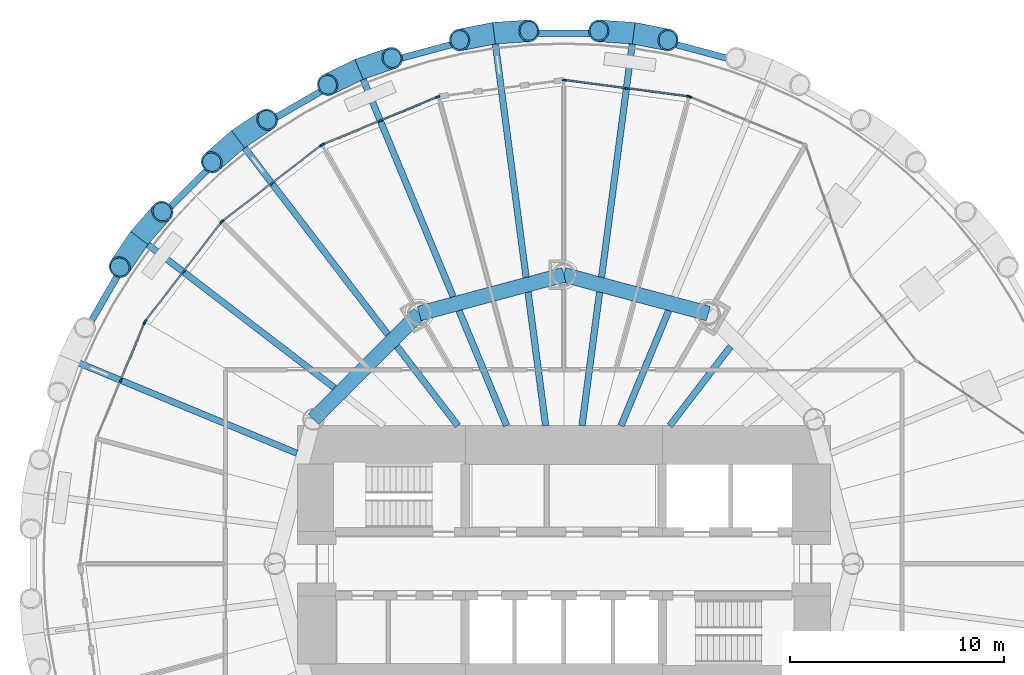
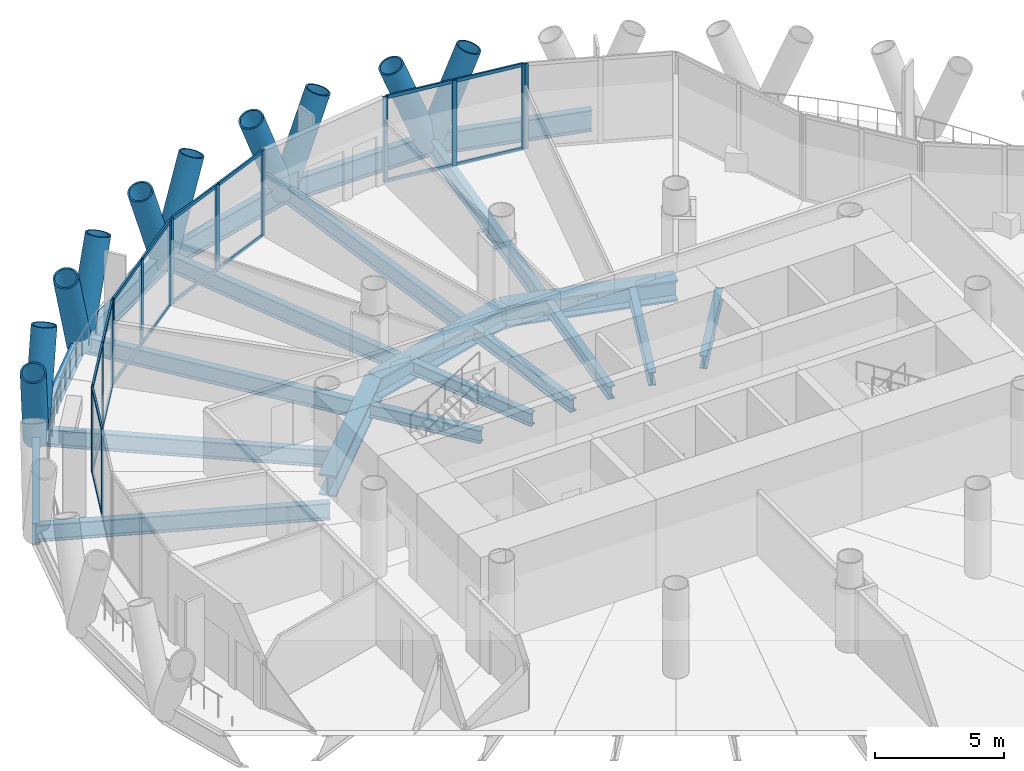
# One storey, part 6 of 16: 43 members, 21 beams, 6 elements without a shape of their own.
"""IFC4 building model written with IfcOpenShell, lengths in metres."""

from ifc_helpers import new_model, si_unit, direction, frame, origin, origin_2d, place, context, subcontext, project, spatial, rectangle, hollow_circle, i_section, extrude, material, material_profile, profile_set, type_object, element, aggregate, save


model = new_model("IFC4")

# Units and contexts
model_context = context("Model", 3, precision=1e-05, world=origin(), true_north=direction((0.0, 1.0)))
body_context = subcontext(model_context, "Body", "Model", "MODEL_VIEW")
ifc_project = project(units=[si_unit("LENGTHUNIT", "METRE"), si_unit("AREAUNIT", "SQUARE_METRE"), si_unit("VOLUMEUNIT", "CUBIC_METRE"), si_unit("PLANEANGLEUNIT", "RADIAN"), si_unit("MASSUNIT", "GRAM", prefix="KILO")], contexts=[model_context])

# Site, building, storey
site_placement = place(None, origin())
site = spatial("IfcSite", under=ifc_project, at=site_placement, CompositionType="ELEMENT")
building_placement = place(site_placement, origin())
building = spatial("IfcBuilding", under=site, at=building_placement, Name="Qaws Media Tower", CompositionType="ELEMENT")
storey_placement = place(building_placement, frame((0.0, 0.0, 135.199951171875)))
storey = spatial("IfcBuildingStorey", under=building, at=storey_placement, Name="L30", CompositionType="ELEMENT", Elevation=135.199951171875)

# Curtain wall, member
ifc_material_1 = material(Name="Aluminium and clear glass", Category="aluminium")
curtain_wall_type = type_object("IfcCurtainWallType", Name="Unitised curtain wall CW-B", PredefinedType="NOTDEFINED", material=ifc_material_1)
curtain_wall_1_placement = place(storey_placement, origin())
curtain_wall_1 = element("IfcCurtainWall", 1, at=curtain_wall_1_placement, inside=storey, type_object=curtain_wall_type, Name="CWB curtain wall L30-05", PredefinedType="NOTDEFINED")
ifc_material_2 = material(Name="Aluminium mullion", Category="aluminium")
ifc_material_profile_1 = material_profile(ifc_material_2, rectangle(XDim=0.080078125, YDim=0.199951171875, at=origin_2d()), Name="80x200")
ifc_profile_set_1 = profile_set([ifc_material_profile_1], Name="Aluminium mullion")
member_type_1 = type_object("IfcMemberType", Name="Curtain wall mullion 80x200", PredefinedType="MULLION", material=ifc_profile_set_1)
member_1_placement = place(storey_placement, frame((65.88623046875, 71.814697265625, 0.0), z_axis=(0.0, 0.0, 1.0), x_axis=(-0.382683472548, -0.923879515867, 0.0)))
member_1 = element("IfcMember", 2, at=member_1_placement, type_object=member_type_1, Name="CWB mullion 3", PredefinedType="MULLION", context=body_context, shape_type="SweptSolid", body=[
    extrude(rectangle(XDim=0.080078125, YDim=0.199951171875, at=origin_2d()), origin(), (0.0, 0.0, 1.0), 4.0400390625),
])
aggregate(curtain_wall_1, [member_1])

# Curtain wall, members
curtain_wall_2_placement = place(storey_placement, origin())
curtain_wall_2 = element("IfcCurtainWall", 3, at=curtain_wall_2_placement, inside=storey, type_object=curtain_wall_type, Name="CWB curtain wall L30-06", PredefinedType="NOTDEFINED")
member_2_placement = place(storey_placement, frame((65.8095703125, 71.835205078125, 0.0), z_axis=(0.0, 0.0, 1.0), x_axis=(-0.130526147126, -0.991444867311, 0.0)))
member_2 = element("IfcMember", 4, at=member_2_placement, type_object=member_type_1, Name="CWB mullion 1", PredefinedType="MULLION", context=body_context, shape_type="SweptSolid", body=[
    extrude(rectangle(XDim=0.080078125, YDim=0.199951171875, at=origin_2d()), origin(), (0.0, 0.0, 1.0), 4.0400390625),
])
member_3_placement = place(storey_placement, frame((62.924560546875, 72.21484375, 0.0), z_axis=(0.0, 0.0, 1.0), x_axis=(-0.130526147126, -0.991444867311, 0.0)))
member_3 = element("IfcMember", 5, at=member_3_placement, type_object=member_type_1, Name="CWB mullion 2", PredefinedType="MULLION", context=body_context, shape_type="SweptSolid", body=[
    extrude(rectangle(XDim=0.080078125, YDim=0.199951171875, at=origin_2d()), origin(), (0.0, 0.0, 1.0), 4.0400390625),
])
member_4_placement = place(storey_placement, frame((60.03955078125, 72.5947265625, 0.0), z_axis=(0.0, 0.0, 1.0), x_axis=(-0.130526147126, -0.991444867311, 0.0)))
member_4 = element("IfcMember", 6, at=member_4_placement, type_object=member_type_1, Name="CWB mullion 3", PredefinedType="MULLION", context=body_context, shape_type="SweptSolid", body=[
    extrude(rectangle(XDim=0.080078125, YDim=0.199951171875, at=origin_2d()), origin(), (0.0, 0.0, 1.0), 4.0400390625),
])

curtain_wall_3_placement = place(storey_placement, origin())
curtain_wall_3 = element("IfcCurtainWall", 7, at=curtain_wall_3_placement, inside=storey, type_object=curtain_wall_type, Name="CWB curtain wall L30-08", PredefinedType="NOTDEFINED")
member_5_placement = place(storey_placement, frame((54.11376953125, 71.814697265625, 0.0), z_axis=(0.0, 0.0, 1.0), x_axis=(0.382683472548, -0.923879515867, 0.0)))
member_5 = element("IfcMember", 8, at=member_5_placement, type_object=member_type_1, Name="CWB mullion 1", PredefinedType="MULLION", context=body_context, shape_type="SweptSolid", body=[
    extrude(rectangle(XDim=0.080078125, YDim=0.199951171875, at=origin_2d()), origin(), (0.0, 0.0, 1.0), 4.0400390625),
])
member_6_placement = place(storey_placement, frame((51.42529296875, 70.700927734375, 0.0), z_axis=(0.0, 0.0, 1.0), x_axis=(0.382683472548, -0.923879515867, 0.0)))
member_6 = element("IfcMember", 9, at=member_6_placement, type_object=member_type_1, Name="CWB mullion 2", PredefinedType="MULLION", context=body_context, shape_type="SweptSolid", body=[
    extrude(rectangle(XDim=0.080078125, YDim=0.199951171875, at=origin_2d()), origin(), (0.0, 0.0, 1.0), 4.0400390625),
])
member_7_placement = place(storey_placement, frame((48.737060546875, 69.58740234375, 0.0), z_axis=(0.0, 0.0, 1.0), x_axis=(0.382683472548, -0.923879515867, 0.0)))
member_7 = element("IfcMember", 10, at=member_7_placement, type_object=member_type_1, Name="CWB mullion 3", PredefinedType="MULLION", context=body_context, shape_type="SweptSolid", body=[
    extrude(rectangle(XDim=0.080078125, YDim=0.199951171875, at=origin_2d()), origin(), (0.0, 0.0, 1.0), 4.0400390625),
])

curtain_wall_4_placement = place(storey_placement, origin())
curtain_wall_4 = element("IfcCurtainWall", 11, at=curtain_wall_4_placement, inside=storey, type_object=curtain_wall_type, Name="CWB curtain wall L30-09", PredefinedType="NOTDEFINED")
member_8_placement = place(storey_placement, frame((48.668212890625, 69.5478515625, 0.0), z_axis=(0.0, 0.0, 1.0), x_axis=(0.608761463667, -0.793353313697, 0.0)))
member_8 = element("IfcMember", 12, at=member_8_placement, type_object=member_type_1, Name="CWB mullion 1", PredefinedType="MULLION", context=body_context, shape_type="SweptSolid", body=[
    extrude(rectangle(XDim=0.080078125, YDim=0.199951171875, at=origin_2d()), origin(), (0.0, 0.0, 1.0), 4.0400390625),
])
member_9_placement = place(storey_placement, frame((46.359619140625, 67.7763671875, 0.0), z_axis=(0.0, 0.0, 1.0), x_axis=(0.608761463667, -0.793353313697, 0.0)))
member_9 = element("IfcMember", 13, at=member_9_placement, type_object=member_type_1, Name="CWB mullion 2", PredefinedType="MULLION", context=body_context, shape_type="SweptSolid", body=[
    extrude(rectangle(XDim=0.080078125, YDim=0.199951171875, at=origin_2d()), origin(), (0.0, 0.0, 1.0), 4.0400390625),
])
member_10_placement = place(storey_placement, frame((44.051025390625, 66.0048828125, 0.0), z_axis=(0.0, 0.0, 1.0), x_axis=(0.608761463667, -0.793353313697, 0.0)))
member_10 = element("IfcMember", 14, at=member_10_placement, type_object=member_type_1, Name="CWB mullion 3", PredefinedType="MULLION", context=body_context, shape_type="SweptSolid", body=[
    extrude(rectangle(XDim=0.080078125, YDim=0.199951171875, at=origin_2d()), origin(), (0.0, 0.0, 1.0), 4.0400390625),
])

curtain_wall_5_placement = place(storey_placement, origin())
curtain_wall_5 = element("IfcCurtainWall", 15, at=curtain_wall_5_placement, inside=storey, type_object=curtain_wall_type, Name="CWB curtain wall L30-10", PredefinedType="NOTDEFINED")
member_11_placement = place(storey_placement, frame((43.9951171875, 65.948974609375, 0.0), z_axis=(0.0, 0.0, 1.0), x_axis=(0.793353313697, -0.608761463667, 0.0)))
member_11 = element("IfcMember", 16, at=member_11_placement, type_object=member_type_1, Name="CWB mullion 1", PredefinedType="MULLION", context=body_context, shape_type="SweptSolid", body=[
    extrude(rectangle(XDim=0.080078125, YDim=0.199951171875, at=origin_2d()), origin(), (0.0, 0.0, 1.0), 4.0400390625),
])
member_12_placement = place(storey_placement, frame((42.2236328125, 63.640380859375, 0.0), z_axis=(0.0, 0.0, 1.0), x_axis=(0.793353313697, -0.608761463667, 0.0)))
member_12 = element("IfcMember", 17, at=member_12_placement, type_object=member_type_1, Name="CWB mullion 2", PredefinedType="MULLION", context=body_context, shape_type="SweptSolid", body=[
    extrude(rectangle(XDim=0.080078125, YDim=0.199951171875, at=origin_2d()), origin(), (0.0, 0.0, 1.0), 4.0400390625),
])
member_13_placement = place(storey_placement, frame((40.4521484375, 61.331787109375, 0.0), z_axis=(0.0, 0.0, 1.0), x_axis=(0.793353313697, -0.608761463667, 0.0)))
member_13 = element("IfcMember", 18, at=member_13_placement, type_object=member_type_1, Name="CWB mullion 3", PredefinedType="MULLION", context=body_context, shape_type="SweptSolid", body=[
    extrude(rectangle(XDim=0.080078125, YDim=0.199951171875, at=origin_2d()), origin(), (0.0, 0.0, 1.0), 4.0400390625),
])

curtain_wall_6_placement = place(storey_placement, origin())
curtain_wall_6 = element("IfcCurtainWall", 19, at=curtain_wall_6_placement, inside=storey, type_object=curtain_wall_type, Name="CWB curtain wall L30-11", PredefinedType="NOTDEFINED")
member_14_placement = place(storey_placement, frame((40.41259765625, 61.262939453125, 0.0), z_axis=(0.0, 0.0, 1.0), x_axis=(0.923879515867, -0.382683472548, 0.0)))
member_14 = element("IfcMember", 20, at=member_14_placement, type_object=member_type_1, Name="CWB mullion 1", PredefinedType="MULLION", context=body_context, shape_type="SweptSolid", body=[
    extrude(rectangle(XDim=0.080078125, YDim=0.199951171875, at=origin_2d()), origin(), (0.0, 0.0, 1.0), 4.0400390625),
])
member_15_placement = place(storey_placement, frame((39.299072265625, 58.57470703125, 0.0), z_axis=(0.0, 0.0, 1.0), x_axis=(0.923879515867, -0.382683472548, 0.0)))
member_15 = element("IfcMember", 21, at=member_15_placement, type_object=member_type_1, Name="CWB mullion 2", PredefinedType="MULLION", context=body_context, shape_type="SweptSolid", body=[
    extrude(rectangle(XDim=0.080078125, YDim=0.199951171875, at=origin_2d()), origin(), (0.0, 0.0, 1.0), 4.0400390625),
])

# Member
ifc_material_3 = material(Name="Aluminium transom", Category="aluminium")
ifc_material_profile_2 = material_profile(ifc_material_3, rectangle(XDim=0.080078125, YDim=0.159912109375, at=origin_2d()), Name="80x160")
ifc_profile_set_2 = profile_set([ifc_material_profile_2], Name="Aluminium transom")
member_type_2 = type_object("IfcMemberType", Name="Curtain wall transom 80x160", PredefinedType="USERDEFINED", material=ifc_profile_set_2)
member_16_placement = place(storey_placement, frame((65.77001953125, 71.84033203125, 0.0400390625), z_axis=(-0.991444308748, 0.130530389761, 0.0), x_axis=(-0.130530389761, -0.991444308748, 0.0)))
member_16 = element("IfcMember", 22, at=member_16_placement, type_object=member_type_2, Name="CWB transom 1.1", ObjectType="TRANSOM", PredefinedType="USERDEFINED", context=body_context, shape_type="SweptSolid", body=[
    extrude(rectangle(XDim=0.080078125, YDim=0.159912109375, at=origin_2d()), origin(), (0.0, 0.0, 1.0), 2.829833984375),
])

member_17_placement = place(storey_placement, frame((65.77001953125, 71.84033203125, 4.0), z_axis=(-0.991444308748, 0.130530389761, 0.0), x_axis=(-0.130530389761, -0.991444308748, 0.0)))
member_17 = element("IfcMember", 23, at=member_17_placement, type_object=member_type_2, Name="CWB transom 1.2", ObjectType="TRANSOM", PredefinedType="USERDEFINED", context=body_context, shape_type="SweptSolid", body=[
    extrude(rectangle(XDim=0.080078125, YDim=0.159912109375, at=origin_2d()), origin(), (0.0, 0.0, 1.0), 2.829833984375),
])

member_18_placement = place(storey_placement, frame((62.885009765625, 72.22021484375, 0.0400390625), z_axis=(-0.991444308748, 0.130530389761, 0.0), x_axis=(-0.130530389761, -0.991444308748, 0.0)))
member_18 = element("IfcMember", 24, at=member_18_placement, type_object=member_type_2, Name="CWB transom 2.1", ObjectType="TRANSOM", PredefinedType="USERDEFINED", context=body_context, shape_type="SweptSolid", body=[
    extrude(rectangle(XDim=0.080078125, YDim=0.159912109375, at=origin_2d()), origin(), (0.0, 0.0, 1.0), 2.829833984375),
])

member_19_placement = place(storey_placement, frame((62.885009765625, 72.22021484375, 4.0), z_axis=(-0.991444308748, 0.130530389761, 0.0), x_axis=(-0.130530389761, -0.991444308748, 0.0)))
member_19 = element("IfcMember", 25, at=member_19_placement, type_object=member_type_2, Name="CWB transom 2.2", ObjectType="TRANSOM", PredefinedType="USERDEFINED", context=body_context, shape_type="SweptSolid", body=[
    extrude(rectangle(XDim=0.080078125, YDim=0.159912109375, at=origin_2d()), origin(), (0.0, 0.0, 1.0), 2.829833984375),
])

aggregate(curtain_wall_2, [member_2, member_3, member_4, member_16, member_17, member_18, member_19])

member_20_placement = place(storey_placement, frame((54.07666015625, 71.79931640625, 0.0400390625), z_axis=(-0.92386119338, -0.382727703944, 0.0), x_axis=(0.382727703944, -0.92386119338, 0.0)))
member_20 = element("IfcMember", 26, at=member_20_placement, type_object=member_type_2, Name="CWB transom 1.1", ObjectType="TRANSOM", PredefinedType="USERDEFINED", context=body_context, shape_type="SweptSolid", body=[
    extrude(rectangle(XDim=0.080078125, YDim=0.159912109375, at=origin_2d()), origin(), (0.0, 0.0, 1.0), 2.82958984375),
])

member_21_placement = place(storey_placement, frame((54.07666015625, 71.79931640625, 4.0), z_axis=(-0.92386119338, -0.382727703944, 0.0), x_axis=(0.382727703944, -0.92386119338, 0.0)))
member_21 = element("IfcMember", 27, at=member_21_placement, type_object=member_type_2, Name="CWB transom 1.2", ObjectType="TRANSOM", PredefinedType="USERDEFINED", context=body_context, shape_type="SweptSolid", body=[
    extrude(rectangle(XDim=0.080078125, YDim=0.159912109375, at=origin_2d()), origin(), (0.0, 0.0, 1.0), 2.82958984375),
])

member_22_placement = place(storey_placement, frame((51.388427734375, 70.685791015625, 0.0400390625), z_axis=(-0.923873829864, -0.382697199484, 0.0), x_axis=(0.382697199484, -0.923873829864, 0.0)))
member_22 = element("IfcMember", 28, at=member_22_placement, type_object=member_type_2, Name="CWB transom 2.1", ObjectType="TRANSOM", PredefinedType="USERDEFINED", context=body_context, shape_type="SweptSolid", body=[
    extrude(rectangle(XDim=0.080078125, YDim=0.159912109375, at=origin_2d()), origin(), (0.0, 0.0, 1.0), 2.829833984375),
])

member_23_placement = place(storey_placement, frame((51.388427734375, 70.685791015625, 4.0), z_axis=(-0.923873829864, -0.382697199484, 0.0), x_axis=(0.382697199484, -0.923873829864, 0.0)))
member_23 = element("IfcMember", 29, at=member_23_placement, type_object=member_type_2, Name="CWB transom 2.2", ObjectType="TRANSOM", PredefinedType="USERDEFINED", context=body_context, shape_type="SweptSolid", body=[
    extrude(rectangle(XDim=0.080078125, YDim=0.159912109375, at=origin_2d()), origin(), (0.0, 0.0, 1.0), 2.829833984375),
])

aggregate(curtain_wall_3, [member_5, member_6, member_7, member_20, member_21, member_22, member_23])

member_24_placement = place(storey_placement, frame((48.636474609375, 69.5234375, 0.0400390625), z_axis=(-0.79336746432, -0.608743021775, 0.0), x_axis=(0.608743021775, -0.79336746432, 0.0)))
member_24 = element("IfcMember", 30, at=member_24_placement, type_object=member_type_2, Name="CWB transom 1.1", ObjectType="TRANSOM", PredefinedType="USERDEFINED", context=body_context, shape_type="SweptSolid", body=[
    extrude(rectangle(XDim=0.080078125, YDim=0.159912109375, at=origin_2d()), origin(), (0.0, 0.0, 1.0), 2.829833984375),
])

member_25_placement = place(storey_placement, frame((48.636474609375, 69.5234375, 4.0), z_axis=(-0.79336746432, -0.608743021775, 0.0), x_axis=(0.608743021775, -0.79336746432, 0.0)))
member_25 = element("IfcMember", 31, at=member_25_placement, type_object=member_type_2, Name="CWB transom 1.2", ObjectType="TRANSOM", PredefinedType="USERDEFINED", context=body_context, shape_type="SweptSolid", body=[
    extrude(rectangle(XDim=0.080078125, YDim=0.159912109375, at=origin_2d()), origin(), (0.0, 0.0, 1.0), 2.829833984375),
])

member_26_placement = place(storey_placement, frame((46.327880859375, 67.751953125, 0.0400390625), z_axis=(-0.79336746432, -0.608743021775, 0.0), x_axis=(0.608743021775, -0.79336746432, 0.0)))
member_26 = element("IfcMember", 32, at=member_26_placement, type_object=member_type_2, Name="CWB transom 2.1", ObjectType="TRANSOM", PredefinedType="USERDEFINED", context=body_context, shape_type="SweptSolid", body=[
    extrude(rectangle(XDim=0.080078125, YDim=0.159912109375, at=origin_2d()), origin(), (0.0, 0.0, 1.0), 2.829833984375),
])

member_27_placement = place(storey_placement, frame((46.327880859375, 67.751953125, 4.0), z_axis=(-0.79336746432, -0.608743021775, 0.0), x_axis=(0.608743021775, -0.79336746432, 0.0)))
member_27 = element("IfcMember", 33, at=member_27_placement, type_object=member_type_2, Name="CWB transom 2.2", ObjectType="TRANSOM", PredefinedType="USERDEFINED", context=body_context, shape_type="SweptSolid", body=[
    extrude(rectangle(XDim=0.080078125, YDim=0.159912109375, at=origin_2d()), origin(), (0.0, 0.0, 1.0), 2.829833984375),
])

aggregate(curtain_wall_4, [member_8, member_9, member_10, member_24, member_25, member_26, member_27])

member_28_placement = place(storey_placement, frame((43.970703125, 65.917236328125, 0.0400390625), z_axis=(-0.608743021775, -0.79336746432, 0.0), x_axis=(0.79336746432, -0.608743021775, 0.0)))
member_28 = element("IfcMember", 34, at=member_28_placement, type_object=member_type_2, Name="CWB transom 1.1", ObjectType="TRANSOM", PredefinedType="USERDEFINED", context=body_context, shape_type="SweptSolid", body=[
    extrude(rectangle(XDim=0.080078125, YDim=0.159912109375, at=origin_2d()), origin(), (0.0, 0.0, 1.0), 2.829833984375),
])

member_29_placement = place(storey_placement, frame((43.970703125, 65.917236328125, 4.0), z_axis=(-0.608743021775, -0.79336746432, 0.0), x_axis=(0.79336746432, -0.608743021775, 0.0)))
member_29 = element("IfcMember", 35, at=member_29_placement, type_object=member_type_2, Name="CWB transom 1.2", ObjectType="TRANSOM", PredefinedType="USERDEFINED", context=body_context, shape_type="SweptSolid", body=[
    extrude(rectangle(XDim=0.080078125, YDim=0.159912109375, at=origin_2d()), origin(), (0.0, 0.0, 1.0), 2.829833984375),
])

member_30_placement = place(storey_placement, frame((42.19921875, 63.608642578125, 0.0400390625), z_axis=(-0.608743021775, -0.79336746432, 0.0), x_axis=(0.79336746432, -0.608743021775, 0.0)))
member_30 = element("IfcMember", 36, at=member_30_placement, type_object=member_type_2, Name="CWB transom 2.1", ObjectType="TRANSOM", PredefinedType="USERDEFINED", context=body_context, shape_type="SweptSolid", body=[
    extrude(rectangle(XDim=0.080078125, YDim=0.159912109375, at=origin_2d()), origin(), (0.0, 0.0, 1.0), 2.829833984375),
])

member_31_placement = place(storey_placement, frame((42.19921875, 63.608642578125, 4.0), z_axis=(-0.608743021775, -0.79336746432, 0.0), x_axis=(0.79336746432, -0.608743021775, 0.0)))
member_31 = element("IfcMember", 37, at=member_31_placement, type_object=member_type_2, Name="CWB transom 2.2", ObjectType="TRANSOM", PredefinedType="USERDEFINED", context=body_context, shape_type="SweptSolid", body=[
    extrude(rectangle(XDim=0.080078125, YDim=0.159912109375, at=origin_2d()), origin(), (0.0, 0.0, 1.0), 2.829833984375),
])

aggregate(curtain_wall_5, [member_11, member_12, member_13, member_28, member_29, member_30, member_31])

member_32_placement = place(storey_placement, frame((40.397216796875, 61.22607421875, 0.0400390625), z_axis=(-0.382697199484, -0.923873829864, 0.0), x_axis=(0.923873829864, -0.382697199484, 0.0)))
member_32 = element("IfcMember", 38, at=member_32_placement, type_object=member_type_2, Name="CWB transom 1.1", ObjectType="TRANSOM", PredefinedType="USERDEFINED", context=body_context, shape_type="SweptSolid", body=[
    extrude(rectangle(XDim=0.080078125, YDim=0.159912109375, at=origin_2d()), origin(), (0.0, 0.0, 1.0), 2.829833984375),
])

member_33_placement = place(storey_placement, frame((40.397216796875, 61.22607421875, 4.0), z_axis=(-0.382697199484, -0.923873829864, 0.0), x_axis=(0.923873829864, -0.382697199484, 0.0)))
member_33 = element("IfcMember", 39, at=member_33_placement, type_object=member_type_2, Name="CWB transom 1.2", ObjectType="TRANSOM", PredefinedType="USERDEFINED", context=body_context, shape_type="SweptSolid", body=[
    extrude(rectangle(XDim=0.080078125, YDim=0.159912109375, at=origin_2d()), origin(), (0.0, 0.0, 1.0), 2.829833984375),
])

aggregate(curtain_wall_6, [member_14, member_15, member_32, member_33])

# Members
ifc_material_4 = material(Name="Steel S460", Category="steel")
ifc_material_profile_3 = material_profile(ifc_material_4, hollow_circle(Radius=0.508056640625, WallThickness=0.070068359375, at=origin_2d()), Name="CHS 1016x70")
ifc_profile_set_3 = profile_set([ifc_material_profile_3], Name="Steel S460")
member_type_3 = type_object("IfcMemberType", Name="Diagrid member CHS 1016x70", PredefinedType="USERDEFINED", material=ifc_profile_set_3)
member_34_placement = place(storey_placement, frame((63.26318359375, 74.7861328125, -0.6640625), z_axis=(-0.361940264038, 0.024483238453, 0.931879722015), x_axis=(-0.067490184384, -0.997719938165, 0.0)))
element("IfcMember", 40, at=member_34_placement, inside=storey, type_object=member_type_3, Name="DG3 diagrid L30 A06", ObjectType="DIAGRID", PredefinedType="USERDEFINED", context=body_context, shape_type="SweptSolid", body=[
    extrude(hollow_circle(Radius=0.508056640625, WallThickness=0.070068359375, at=origin_2d()), origin(), (0.0, 0.0, 1.0), 4.50732421875),
])
for number, where, z_axis, x_axis, name in (
    (41, (63.26318359375, 74.7861328125, -0.6640625), (0.355930984487, -0.069983690756, 0.931888092697), (0.192927589696, 0.981212996823, 0.0), "DG3 diagrid L30 B06"),
    (42, (56.73681640625, 74.7861328125, -0.6640625), (-0.355930984487, -0.069983690756, 0.931888092697), (0.192927589696, -0.981212996823, 0.0), "DG3 diagrid L30 A07"),
):
    element("IfcMember", number, at=place(storey_placement, frame(where, z_axis=z_axis, x_axis=x_axis)), inside=storey, type_object=member_type_3, Name=name, ObjectType="DIAGRID", PredefinedType="USERDEFINED", context=body_context, shape_type="SweptSolid", body=[
        extrude(hollow_circle(Radius=0.508056640625, WallThickness=0.070068359375, at=origin_2d()), origin(), (0.0, 0.0, 1.0), 4.507080078125),
    ])
for number, where, z_axis, x_axis, name in (
    (43, (56.73681640625, 74.7861328125, -0.6640625), (0.361940264038, 0.024483238453, 0.931879722015), (-0.067490184384, 0.997719938165, 0.0), "DG3 diagrid L30 B07"),
    (44, (50.432861328125, 73.096923828125, -0.6640625), (-0.325703218866, -0.159737035163, 0.931880621548), (0.440331888579, -0.897835078341, 0.0), "DG3 diagrid L30 A08"),
    (45, (50.432861328125, 73.096923828125, -0.6640625), (0.343252821351, 0.117378706623, 0.931879681003), (-0.323564558959, 0.946206096041, 0.0), "DG3 diagrid L30 B08"),
    (46, (44.781005859375, 69.833740234375, -0.6640625), (-0.273268723209, -0.238602324229, 0.931876137579), (0.657711444944, -0.753269974969, 0.0), "DG3 diagrid L30 A09"),
):
    element("IfcMember", number, at=place(storey_placement, frame(where, z_axis=z_axis, x_axis=x_axis)), inside=storey, type_object=member_type_3, Name=name, ObjectType="DIAGRID", PredefinedType="USERDEFINED", context=body_context, shape_type="SweptSolid", body=[
        extrude(hollow_circle(Radius=0.508056640625, WallThickness=0.070068359375, at=origin_2d()), origin(), (0.0, 0.0, 1.0), 4.50732421875),
    ])
for number, where, z_axis, x_axis, name in (
    (47, (44.781005859375, 69.833740234375, -0.6640625), (0.301167504957, 0.202204729497, 0.931885927207), (-0.557419484535, 0.830231002951, 0.0), "DG3 diagrid L30 B09"),
    (48, (40.166259765625, 65.218994140625, -0.6640625), (-0.202204729497, -0.301167504957, 0.931885927207), (0.830231002951, -0.557419484535, 0.0), "DG3 diagrid L30 A10"),
):
    element("IfcMember", number, at=place(storey_placement, frame(where, z_axis=z_axis, x_axis=x_axis)), inside=storey, type_object=member_type_3, Name=name, ObjectType="DIAGRID", PredefinedType="USERDEFINED", context=body_context, shape_type="SweptSolid", body=[
        extrude(hollow_circle(Radius=0.508056640625, WallThickness=0.070068359375, at=origin_2d()), origin(), (0.0, 0.0, 1.0), 4.507080078125),
    ])
member_35_placement = place(storey_placement, frame((40.166259765625, 65.218994140625, -0.6640625), z_axis=(0.238602324229, 0.273268723209, 0.931876137579), x_axis=(-0.753269974969, 0.657711444944, 0.0)))
element("IfcMember", 49, at=member_35_placement, inside=storey, type_object=member_type_3, Name="DG3 diagrid L30 B10", ObjectType="DIAGRID", PredefinedType="USERDEFINED", context=body_context, shape_type="SweptSolid", body=[
    extrude(hollow_circle(Radius=0.508056640625, WallThickness=0.070068359375, at=origin_2d()), origin(), (0.0, 0.0, 1.0), 4.50732421875),
])

# Beams
ifc_material_5 = material(Name="Steel S460", Category="steel")
ifc_material_profile_4 = material_profile(ifc_material_5, i_section(OverallWidth=0.302001953125, OverallDepth=1.008056640625, WebThickness=0.02099609375, FlangeThickness=0.0400390625, FilletRadius=0.030029296875, at=origin_2d()), Name="HE 1000 M")
ifc_profile_set_4 = profile_set([ifc_material_profile_4], Name="Steel S460")
beam_type_1 = type_object("IfcBeamType", Name="Edge ring beam HE 1000 M", PredefinedType="BEAM", material=ifc_profile_set_4)
for number, where, z_axis, x_axis, name in (
    (50, (69.567138671875, 73.096923828125, -0.6640625), (-0.965923171154, 0.258828953999, 0.0), (-0.258828953999, -0.965923171154, 0.0), "RB3 edge ring beam L30-05"),
    (51, (63.26318359375, 74.7861328125, -0.6640625), (-1.0, 0.0, 0.0), (0.0, -1.0, 0.0), "RB3 edge ring beam L30-06"),
    (52, (56.73681640625, 74.7861328125, -0.6640625), (-0.965923171154, -0.258828953999, 0.0), (0.258828953999, -0.965923171154, 0.0), "RB3 edge ring beam L30-07"),
):
    element("IfcBeam", number, at=place(storey_placement, frame(where, z_axis=z_axis, x_axis=x_axis)), inside=storey, type_object=beam_type_1, Name=name, PredefinedType="BEAM", context=body_context, shape_type="SweptSolid", body=[
        extrude(i_section(OverallWidth=0.302001953125, OverallDepth=1.008056640625, WebThickness=0.02099609375, FlangeThickness=0.0400390625, FilletRadius=0.030029296875, at=origin_2d()), origin(), (0.0, 0.0, 1.0), 6.5263671875),
    ])
for number, where, z_axis, x_axis, name in (
    (53, (50.432861328125, 73.096923828125, -0.6640625), (-0.866019875663, -0.500009574865, 0.0), (0.500009574865, -0.866019875663, 0.0), "RB3 edge ring beam L30-08"),
    (54, (44.781005859375, 69.833740234375, -0.6640625), (-0.707106781187, -0.707106781187, 0.0), (0.707106781187, -0.707106781187, 0.0), "RB3 edge ring beam L30-09"),
    (55, (40.166259765625, 65.218994140625, -0.6640625), (-0.500009574865, -0.866019875663, 0.0), (0.866019875663, -0.500009574865, 0.0), "RB3 edge ring beam L30-10"),
):
    element("IfcBeam", number, at=place(storey_placement, frame(where, z_axis=z_axis, x_axis=x_axis)), inside=storey, type_object=beam_type_1, Name=name, PredefinedType="BEAM", context=body_context, shape_type="SweptSolid", body=[
        extrude(i_section(OverallWidth=0.302001953125, OverallDepth=1.008056640625, WebThickness=0.02099609375, FlangeThickness=0.0400390625, FilletRadius=0.030029296875, at=origin_2d()), origin(), (0.0, 0.0, 1.0), 6.526123046875),
    ])
ifc_material_6 = material(Name="Steel S460", Category="steel")
ifc_material_profile_5 = material_profile(ifc_material_6, i_section(OverallWidth=0.699951171875, OverallDepth=1.0, WebThickness=0.034912109375, FlangeThickness=0.090087890625, at=origin_2d()), Name="PG 1000x700")
ifc_profile_set_5 = profile_set([ifc_material_profile_5], Name="Steel S460")
beam_type_2 = type_object("IfcBeamType", Name="Inner ring girder PG 1000x700", PredefinedType="BEAM", material=ifc_profile_set_5)
for number, where, z_axis, x_axis, name in (
    (56, (66.75, 61.69140625, -0.659912109375), (-0.965928090778, 0.258810593767, 0.0), (-0.258810593767, -0.965928090778, 0.0), "B3 inner ring beam L30 I03-I04"),
    (57, (60.0, 63.5, -0.659912109375), (-0.965928090778, -0.258810593767, 0.0), (0.258810593767, -0.965928090778, 0.0), "B3 inner ring beam L30 I04-I05"),
):
    element("IfcBeam", number, at=place(storey_placement, frame(where, z_axis=z_axis, x_axis=x_axis)), inside=storey, type_object=beam_type_2, Name=name, PredefinedType="BEAM", context=body_context, shape_type="SweptSolid", body=[
        extrude(i_section(OverallWidth=0.699951171875, OverallDepth=1.0, WebThickness=0.034912109375, FlangeThickness=0.090087890625, at=origin_2d()), origin(), (0.0, 0.0, 1.0), 6.988037109375),
    ])
beam_1_placement = place(storey_placement, frame((53.25, 61.69140625, -0.659912109375), z_axis=(-0.707106781187, -0.707106781187, 0.0), x_axis=(0.707106781187, -0.707106781187, 0.0)))
element("IfcBeam", 58, at=beam_1_placement, inside=storey, type_object=beam_type_2, Name="B3 inner ring beam L30 I05-I06", PredefinedType="BEAM", context=body_context, shape_type="SweptSolid", body=[
    extrude(i_section(OverallWidth=0.699951171875, OverallDepth=1.0, WebThickness=0.034912109375, FlangeThickness=0.090087890625, at=origin_2d()), origin(), (0.0, 0.0, 1.0), 6.98828125),
])
ifc_material_7 = material(Name="Steel S355", Category="steel")
ifc_material_profile_6 = material_profile(ifc_material_7, i_section(OverallWidth=0.304931640625, OverallDepth=0.6201171875, WebThickness=0.02099609375, FlangeThickness=0.0400390625, FilletRadius=0.027099609375, at=origin_2d()), Name="HE 600 M")
ifc_profile_set_6 = profile_set([ifc_material_profile_6], Name="Steel S355")
beam_type_3 = type_object("IfcBeamType", Name="Radial beam HE 600 M, core side", PredefinedType="BEAM", material=ifc_profile_set_6)
beam_2_placement = place(storey_placement, frame((64.94921875, 56.449951171875, -0.469970703125), z_axis=(0.608747616782, 0.793363938594, 0.0), x_axis=(-0.793363938594, 0.608747616782, 0.0)))
element("IfcBeam", 59, at=beam_2_placement, inside=storey, type_object=beam_type_3, Name="B2 radial beam L30 04", PredefinedType="BEAM", context=body_context, shape_type="SweptSolid", body=[
    extrude(i_section(OverallWidth=0.304931640625, OverallDepth=0.6201171875, WebThickness=0.02099609375, FlangeThickness=0.0400390625, FilletRadius=0.027099609375, at=origin_2d()), origin(), (0.0, 0.0, 1.0), 4.66943359375),
])
beam_3_placement = place(storey_placement, frame((62.671630859375, 56.449951171875, -0.469970703125), z_axis=(0.382692744599, 0.923875675203, 0.0), x_axis=(-0.923875675203, 0.382692744599, 0.0)))
element("IfcBeam", 60, at=beam_3_placement, inside=storey, type_object=beam_type_3, Name="B2 radial beam L30 05", PredefinedType="BEAM", context=body_context, shape_type="SweptSolid", body=[
    extrude(i_section(OverallWidth=0.304931640625, OverallDepth=0.6201171875, WebThickness=0.02099609375, FlangeThickness=0.0400390625, FilletRadius=0.027099609375, at=origin_2d()), origin(), (0.0, 0.0, 1.0), 5.818115234375),
])
for number, where, z_axis, x_axis, name in (
    (61, (60.84912109375, 56.449951171875, -0.469970703125), (0.130529769311, 0.991444390434, 0.0), (-0.991444390434, 0.130529769311, 0.0), "B2 radial beam L30 06"),
    (62, (59.15087890625, 56.449951171875, -0.469970703125), (-0.130529769311, 0.991444390434, 0.0), (-0.991444390434, -0.130529769311, 0.0), "B2 radial beam L30 07"),
):
    element("IfcBeam", number, at=place(storey_placement, frame(where, z_axis=z_axis, x_axis=x_axis)), inside=storey, type_object=beam_type_3, Name=name, PredefinedType="BEAM", context=body_context, shape_type="SweptSolid", body=[
        extrude(i_section(OverallWidth=0.304931640625, OverallDepth=0.6201171875, WebThickness=0.02099609375, FlangeThickness=0.0400390625, FilletRadius=0.027099609375, at=origin_2d()), origin(), (0.0, 0.0, 1.0), 6.2939453125),
    ])
beam_4_placement = place(storey_placement, frame((57.328369140625, 56.449951171875, -0.469970703125), z_axis=(-0.382692744599, 0.923875675203, 0.0), x_axis=(-0.923875675203, -0.382692744599, 0.0)))
element("IfcBeam", 63, at=beam_4_placement, inside=storey, type_object=beam_type_3, Name="B2 radial beam L30 08", PredefinedType="BEAM", context=body_context, shape_type="SweptSolid", body=[
    extrude(i_section(OverallWidth=0.304931640625, OverallDepth=0.6201171875, WebThickness=0.02099609375, FlangeThickness=0.0400390625, FilletRadius=0.027099609375, at=origin_2d()), origin(), (0.0, 0.0, 1.0), 5.818115234375),
])
beam_5_placement = place(storey_placement, frame((55.05078125, 56.449951171875, -0.469970703125), z_axis=(-0.608747616782, 0.793363938594, 0.0), x_axis=(-0.793363938594, -0.608747616782, 0.0)))
element("IfcBeam", 64, at=beam_5_placement, inside=storey, type_object=beam_type_3, Name="B2 radial beam L30 09", PredefinedType="BEAM", context=body_context, shape_type="SweptSolid", body=[
    extrude(i_section(OverallWidth=0.304931640625, OverallDepth=0.6201171875, WebThickness=0.02099609375, FlangeThickness=0.0400390625, FilletRadius=0.027099609375, at=origin_2d()), origin(), (0.0, 0.0, 1.0), 4.66943359375),
])
ifc_material_8 = material(Name="Steel S355", Category="steel")
ifc_material_profile_7 = material_profile(ifc_material_8, i_section(OverallWidth=0.300048828125, OverallDepth=0.800048828125, WebThickness=0.017578125, FlangeThickness=0.032958984375, FilletRadius=0.030029296875, at=origin_2d()), Name="HE 800 B")
ifc_profile_set_7 = profile_set([ifc_material_profile_7], Name="Steel S355")
beam_type_4 = type_object("IfcBeamType", Name="Radial beam HE 800 B", PredefinedType="BEAM", material=ifc_profile_set_7)
for number, where, z_axis, x_axis, name in (
    (65, (61.762939453125, 63.389892578125, -0.56005859375), (0.130517696312, 0.991445979844, 0.0), (-0.991445979844, 0.130517696312, 0.0), "B1 radial beam L30 06"),
    (66, (58.237060546875, 63.389892578125, -0.56005859375), (-0.130517696312, 0.991445979844, 0.0), (-0.991445979844, -0.130517696312, 0.0), "B1 radial beam L30 07"),
):
    element("IfcBeam", number, at=place(storey_placement, frame(where, z_axis=z_axis, x_axis=x_axis)), inside=storey, type_object=beam_type_4, Name=name, PredefinedType="BEAM", context=body_context, shape_type="SweptSolid", body=[
        extrude(i_section(OverallWidth=0.300048828125, OverallDepth=0.800048828125, WebThickness=0.017578125, FlangeThickness=0.032958984375, FilletRadius=0.030029296875, at=origin_2d()), origin(), (0.0, 0.0, 1.0), 11.49462890625),
    ])
for number, where, z_axis, x_axis, name in (
    (67, (54.83154296875, 62.4775390625, -0.56005859375), (-0.382682574429, 0.92387988788, 0.0), (-0.92387988788, -0.382682574429, 0.0), "B1 radial beam L30 08"),
    (68, (51.7783203125, 60.714599609375, -0.56005859375), (-0.608758786627, 0.793355367855, 0.0), (-0.793355367855, -0.608758786627, 0.0), "B1 radial beam L30 09"),
    (69, (49.285400390625, 58.2216796875, -0.56005859375), (-0.793355367855, 0.608758786627, 0.0), (-0.608758786627, -0.793355367855, 0.0), "B1 radial beam L30 10"),
    (70, (47.5224609375, 55.16845703125, -0.56005859375), (-0.92387988788, 0.382682574429, 0.0), (-0.382682574429, -0.92387988788, 0.0), "B1 radial beam L30 11"),
):
    element("IfcBeam", number, at=place(storey_placement, frame(where, z_axis=z_axis, x_axis=x_axis)), inside=storey, type_object=beam_type_4, Name=name, PredefinedType="BEAM", context=body_context, shape_type="SweptSolid", body=[
        extrude(i_section(OverallWidth=0.300048828125, OverallDepth=0.800048828125, WebThickness=0.017578125, FlangeThickness=0.032958984375, FilletRadius=0.030029296875, at=origin_2d()), origin(), (0.0, 0.0, 1.0), 11.494384765625),
    ])

save(model, "model.ifc")
